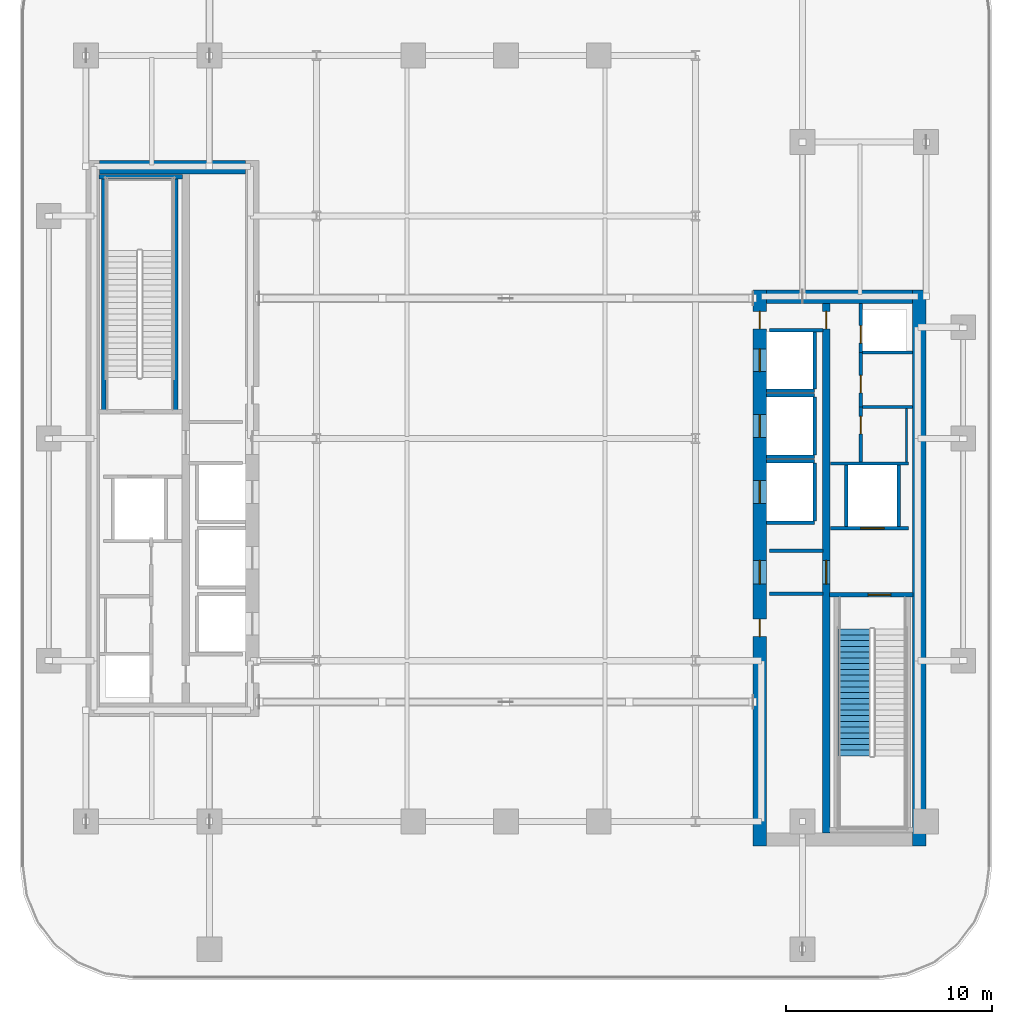
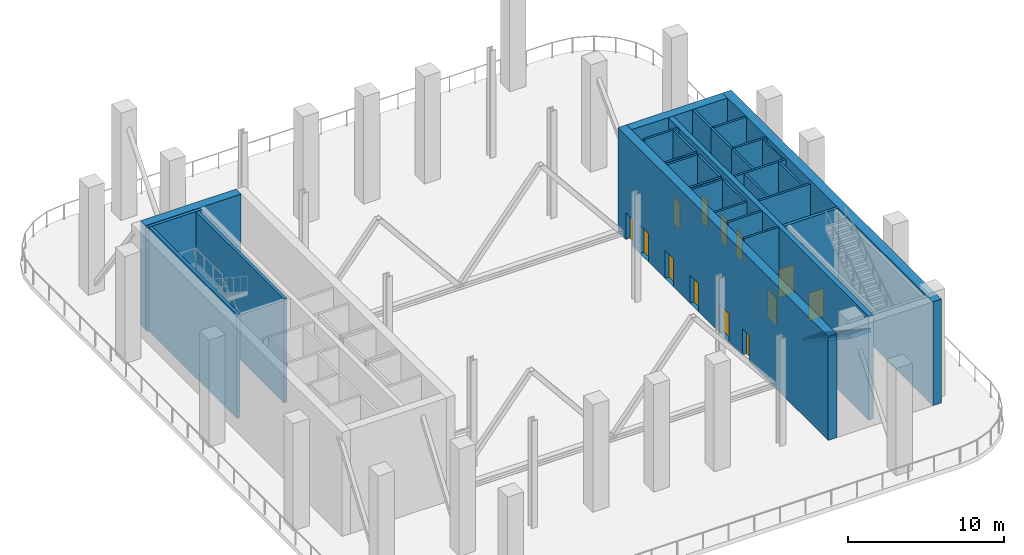
# One storey, part 6 of 13: 30 walls, 13 doors, 1 stair flight, 13 openings, 1 element without a shape of its own.
"""IFC4 building model written with IfcOpenShell, lengths in metres."""

from ifc_helpers import new_model, si_unit, direction, frame, frame_2d, origin, place, context, subcontext, project, spatial, polyline, rectangle, outline, extrude, material, layer, layer_set, type_object, element, fill, aggregate, save


model = new_model("IFC4")

# Units and contexts
model_context = context("Model", 3, precision=1e-05, world=origin(), true_north=direction((0.0, 1.0)))
body_context = subcontext(model_context, "Body", "Model", "MODEL_VIEW")
ifc_project = project(units=[si_unit("LENGTHUNIT", "METRE"), si_unit("AREAUNIT", "SQUARE_METRE"), si_unit("VOLUMEUNIT", "CUBIC_METRE"), si_unit("PLANEANGLEUNIT", "RADIAN"), si_unit("MASSUNIT", "GRAM", prefix="KILO")], contexts=[model_context])

# Site, building, storey
site_placement = place(None, origin())
site = spatial("IfcSite", under=ifc_project, at=site_placement, CompositionType="ELEMENT")
building_placement = place(site_placement, origin())
building = spatial("IfcBuilding", under=site, at=building_placement, Name="Khairoan Windgate Tower", CompositionType="ELEMENT")
storey_placement = place(building_placement, frame((0.0, 0.0, 152.0)))
storey = spatial("IfcBuildingStorey", under=building, at=storey_placement, Name="L35", CompositionType="ELEMENT", Elevation=152.0)

# Walls
ifc_material_1 = material(Name="Moisture-Resistant Gypsum Partition", Category="gypsum")
ifc_layer_1 = layer(ifc_material_1, 0.10009765625, Name="Moisture-Resistant Gypsum Partition")
ifc_layer_set_1 = layer_set([ifc_layer_1], Name="Moisture-Resistant Gypsum Partition")
wall_type_1 = type_object("IfcWallType", Name="Bathroom Wet-Area Partition Wall", PredefinedType="PARTITIONING", material=ifc_layer_set_1)
wall_1_placement = place(storey_placement, frame((19.449951171875, 1.449951171875, 0.0), z_axis=(0.0, 0.0, 1.0), x_axis=(0.0, -1.0, 0.0)))
element("IfcWall", 1, at=wall_1_placement, inside=storey, type_object=wall_type_1, Name="L35 Wet Room Side Wall 012", PredefinedType="PARTITIONING", context=body_context, shape_type="SweptSolid", body=[
    extrude(rectangle(XDim=2.58984375, YDim=0.10009765625, at=frame_2d((1.294921875, 0.0))), origin(), (0.0, 0.0, 1.0), 8.139892578125),
])
ifc_material_2 = material(Name="Concrete C40/50", Category="concrete")
ifc_layer_2 = layer(ifc_material_2, 0.159912109375, Name="Concrete C40/50")
ifc_layer_set_2 = layer_set([ifc_layer_2], Name="Concrete C40/50")
wall_type_2 = type_object("IfcWallType", Name="Core and Hoistway Enclosure Wall", PredefinedType="STANDARD", material=ifc_layer_set_2)
wall_2_placement = place(storey_placement, frame((12.64990234375, 2.31005859375, 0.0), z_axis=(0.0, 0.0, 1.0), x_axis=(1.0, 0.0, 0.0)))
element("IfcWall", 2, at=wall_2_placement, inside=storey, type_object=wall_type_2, Name="L35 Lift PL7 Hoistway Divider S", PredefinedType="STANDARD", context=body_context, shape_type="SweptSolid", body=[
    extrude(rectangle(XDim=2.340087890625, YDim=0.159912109375, at=frame_2d((1.169921875, 0.0))), origin(), (0.0, 0.0, 1.0), 8.139892578125),
])
wall_3_placement = place(storey_placement, frame((14.989990234375, 2.39990234375, 0.0), z_axis=(0.0, 0.0, 1.0), x_axis=(0.0, 1.0, 0.0)))
element("IfcWall", 3, at=wall_3_placement, inside=storey, type_object=wall_type_2, Name="L35 Lift PL7 Hoistway Back Wall", PredefinedType="STANDARD", context=body_context, shape_type="SweptSolid", body=[
    extrude(rectangle(XDim=2.800048828125, YDim=0.159912109375, at=frame_2d((1.39990234375, 0.0))), origin(), (0.0, 0.0, 1.0), 8.139892578125),
])
for number, where, z_axis, x_axis, name in (
    (4, (12.64990234375, -0.889892578125, 0.0), (0.0, 0.0, 1.0), (1.0, 0.0, 0.0), "L35 Lift PL8 Hoistway Divider S"),
    (5, (12.64990234375, 2.090087890625, 0.0), (0.0, 0.0, 1.0), (1.0, 0.0, 0.0), "L35 Lift PL8 Hoistway Divider N"),
):
    element("IfcWall", number, at=place(storey_placement, frame(where, z_axis=z_axis, x_axis=x_axis)), inside=storey, type_object=wall_type_2, Name=name, PredefinedType="STANDARD", context=body_context, shape_type="SweptSolid", body=[
        extrude(rectangle(XDim=2.340087890625, YDim=0.159912109375, at=frame_2d((1.169921875, 0.0))), origin(), (0.0, 0.0, 1.0), 8.139892578125),
    ])
wall_4_placement = place(storey_placement, frame((14.989990234375, -0.800048828125, 0.0), z_axis=(0.0, 0.0, 1.0), x_axis=(0.0, 1.0, 0.0)))
element("IfcWall", 6, at=wall_4_placement, inside=storey, type_object=wall_type_2, Name="L35 Lift PL8 Hoistway Back Wall", PredefinedType="STANDARD", context=body_context, shape_type="SweptSolid", body=[
    extrude(rectangle(XDim=2.800048828125, YDim=0.159912109375, at=frame_2d((1.39990234375, 0.0))), origin(), (0.0, 0.0, 1.0), 8.139892578125),
])
for number, where, z_axis, x_axis, name in (
    (7, (12.64990234375, -4.090087890625, 0.0), (0.0, 0.0, 1.0), (1.0, 0.0, 0.0), "L35 Lift PL9 Hoistway Divider S"),
    (8, (12.64990234375, -1.110107421875, 0.0), (0.0, 0.0, 1.0), (1.0, 0.0, 0.0), "L35 Lift PL9 Hoistway Divider N"),
):
    element("IfcWall", number, at=place(storey_placement, frame(where, z_axis=z_axis, x_axis=x_axis)), inside=storey, type_object=wall_type_2, Name=name, PredefinedType="STANDARD", context=body_context, shape_type="SweptSolid", body=[
        extrude(rectangle(XDim=2.340087890625, YDim=0.159912109375, at=frame_2d((1.169921875, 0.0))), origin(), (0.0, 0.0, 1.0), 8.139892578125),
    ])
wall_5_placement = place(storey_placement, frame((14.989990234375, -4.0, 0.0), z_axis=(0.0, 0.0, 1.0), x_axis=(0.0, 1.0, 0.0)))
element("IfcWall", 9, at=wall_5_placement, inside=storey, type_object=wall_type_2, Name="L35 Lift PL9 Hoistway Back Wall", PredefinedType="STANDARD", context=body_context, shape_type="SweptSolid", body=[
    extrude(rectangle(XDim=2.800048828125, YDim=0.159912109375, at=frame_2d((1.39990234375, 0.0))), origin(), (0.0, 0.0, 1.0), 8.139892578125),
])

# Wall, opening, door
wall_6_placement = place(storey_placement, frame((15.75, -4.360107421875, 0.0), z_axis=(0.0, 0.0, 1.0), x_axis=(1.0, 0.0, 0.0)))
wall_6 = element("IfcWall", 10, at=wall_6_placement, inside=storey, type_object=wall_type_2, Name="L35 Core Shaft Wall SW-FL1-L35", PredefinedType="STANDARD", context=body_context, shape_type="SweptSolid", body=[
    extrude(rectangle(XDim=3.800048828125, YDim=0.159912109375, at=frame_2d((1.89990234375, 0.0))), origin(), (0.0, 0.0, 1.0), 8.139892578125),
])
opening_1_placement = place(wall_6_placement, frame((1.469970703125, 0.0, 0.0)))
opening_1 = element("IfcOpeningElement", 11, at=opening_1_placement, cuts=wall_6, Name="Opening LD-FL", PredefinedType="OPENING", context=body_context, shape_type="SweptSolid", body=[
    extrude(rectangle(XDim=1.14990234375, YDim=2.199951171875, at=frame_2d((0.574951171875, 1.10009765625))), frame((0.0, 0.08984375, 0.0), z_axis=(0.0, -1.0, 0.0), x_axis=(1.0, 0.0, 0.0)), (0.0, 0.0, 1.0), 0.179931640625),
])
ifc_material_3 = material(Name="Steel S355", Category="steel")
door_type_1 = type_object("IfcDoorType", Name="Firefighting Lift Sliding Landing Door LD-FL 1150x2200", OperationType="DOUBLE_DOOR_SLIDING", PredefinedType="DOOR", material=ifc_material_3)
door_1_placement = place(opening_1_placement, origin())
door_1 = element("IfcDoor", 12, at=door_1_placement, inside=storey, type_object=door_type_1, Name="L35 Firefighting Lift FL1 Landing Door", OperationType="DOUBLE_DOOR_SLIDING", OverallHeight=2.199951171875, OverallWidth=1.14990234375, PredefinedType="DOOR", context=body_context, shape_type="SweptSolid", body=[
    extrude(rectangle(XDim=1.14990234375, YDim=2.199951171875, at=frame_2d((0.574951171875, 1.10009765625))), frame((0.0, 0.02490234375, 0.0), z_axis=(0.0, -1.0, 0.0), x_axis=(1.0, 0.0, 0.0)), (0.0, 0.0, 1.0), 0.050048828125),
])
fill(opening_1, door_1)

# Walls
wall_7_placement = place(storey_placement, frame((15.75, -1.219970703125, 0.0), z_axis=(0.0, 0.0, 1.0), x_axis=(1.0, 0.0, 0.0)))
element("IfcWall", 13, at=wall_7_placement, inside=storey, type_object=wall_type_2, Name="L35 Core Shaft Wall SW-FL1T-L35", PredefinedType="STANDARD", context=body_context, shape_type="SweptSolid", body=[
    extrude(rectangle(XDim=3.800048828125, YDim=0.159912109375, at=frame_2d((1.89990234375, 0.0))), origin(), (0.0, 0.0, 1.0), 8.139892578125),
])
for number, where, z_axis, x_axis, name in (
    (14, (16.52001953125, -4.280029296875, 0.0), (0.0, 0.0, 1.0), (0.0, 1.0, 0.0), "L35 Core Shaft Wall SW-FL1W-L35"),
    (15, (19.080078125, -4.280029296875, 0.0), (0.0, 0.0, 1.0), (0.0, 1.0, 0.0), "L35 Core Shaft Wall SW-FL1E-L35"),
):
    element("IfcWall", number, at=place(storey_placement, frame(where, z_axis=z_axis, x_axis=x_axis)), inside=storey, type_object=wall_type_2, Name=name, PredefinedType="STANDARD", context=body_context, shape_type="SweptSolid", body=[
        extrude(rectangle(XDim=2.97998046875, YDim=0.159912109375, at=frame_2d((1.489990234375, 0.0))), origin(), (0.0, 0.0, 1.0), 8.139892578125),
    ])
for number, where, z_axis, x_axis, name in (
    (16, (12.800048828125, -5.449951171875, 0.0), (0.0, 0.0, 1.0), (1.0, 0.0, 0.0), "L35 Core Shaft Wall SW-EV1-L35"),
    (17, (12.800048828125, -7.5400390625, 0.0), (0.0, 0.0, 1.0), (1.0, 0.0, 0.0), "L35 Core Shaft Wall SW-EV2-L35"),
    (18, (12.800048828125, 5.25, 0.0), (0.0, 0.0, 1.0), (1.0, 0.0, 0.0), "L35 Core Shaft Wall SW-ESV-L35"),
):
    element("IfcWall", number, at=place(storey_placement, frame(where, z_axis=z_axis, x_axis=x_axis)), inside=storey, type_object=wall_type_2, Name=name, PredefinedType="STANDARD", context=body_context, shape_type="SweptSolid", body=[
        extrude(rectangle(XDim=2.599853515625, YDim=0.159912109375, at=frame_2d((1.2998046875, 0.0))), origin(), (0.0, 0.0, 1.0), 8.139892578125),
    ])

# Wall, opening, door
ifc_material_4 = material(Name="Concrete C40/50", Category="concrete")
ifc_layer_3 = layer(ifc_material_4, 0.159912109375, Name="Concrete C40/50")
ifc_layer_set_3 = layer_set([ifc_layer_3], Name="Concrete C40/50")
wall_type_3 = type_object("IfcWallType", Name="Plant and Refuge Compartment Wall", PredefinedType="PARTITIONING", material=ifc_layer_set_3)
wall_8_placement = place(storey_placement, frame((17.22998046875, 4.169921875, 0.0), z_axis=(0.0, 0.0, 1.0), x_axis=(0.0, 1.0, 0.0)))
wall_8 = element("IfcWall", 19, at=wall_8_placement, inside=storey, type_object=wall_type_3, Name="L35 Interior Partition 006", PredefinedType="PARTITIONING", context=body_context, shape_type="SweptSolid", body=[
    extrude(rectangle(XDim=2.380126953125, YDim=0.159912109375, at=frame_2d((1.18994140625, 0.0))), origin(), (0.0, 0.0, 1.0), 8.139892578125),
])
opening_2_placement = place(wall_8_placement, frame((0.4599609375, 0.0, 0.0)))
opening_2 = element("IfcOpeningElement", 20, at=opening_2_placement, cuts=wall_8, Name="Opening FD-SRV", PredefinedType="OPENING", context=body_context, shape_type="SweptSolid", body=[
    extrude(rectangle(XDim=0.85009765625, YDim=2.10009765625, at=frame_2d((0.425048828125, 1.050048828125))), frame((0.0, 0.08984375, 0.0), z_axis=(0.0, -1.0, 0.0), x_axis=(1.0, 0.0, 0.0)), (0.0, 0.0, 1.0), 0.179931640625),
])
ifc_material_5 = material(Name="Steel S355", Category="steel")
door_type_2 = type_object("IfcDoorType", Name="Core Service and Riser Fire Door FD-SRV 850x2100", OperationType="NOTDEFINED", PredefinedType="DOOR", material=ifc_material_5)
door_2_placement = place(opening_2_placement, origin())
door_2 = element("IfcDoor", 21, at=door_2_placement, inside=storey, type_object=door_type_2, Name="L35 L35-17-L35-18 Door", OperationType="SINGLE_SWING_RIGHT", OverallHeight=2.10009765625, OverallWidth=0.85009765625, PredefinedType="DOOR", context=body_context, shape_type="SweptSolid", body=[
    extrude(rectangle(XDim=0.85009765625, YDim=2.10009765625, at=frame_2d((0.425048828125, 1.050048828125))), frame((0.0, 0.02490234375, 0.0), z_axis=(0.0, -1.0, 0.0), x_axis=(1.0, 0.0, 0.0)), (0.0, 0.0, 1.0), 0.050048828125),
])
fill(opening_2, door_2)

wall_9_placement = place(storey_placement, frame((17.22998046875, -1.139892578125, 0.0), z_axis=(0.0, 0.0, 1.0), x_axis=(0.0, 1.0, 0.0)))
wall_9 = element("IfcWall", 22, at=wall_9_placement, inside=storey, type_object=wall_type_3, Name="L35 Interior Partition 007", PredefinedType="PARTITIONING", context=body_context, shape_type="SweptSolid", body=[
    extrude(rectangle(XDim=2.669921875, YDim=0.159912109375, at=frame_2d((1.3349609375, 0.0))), origin(), (0.0, 0.0, 1.0), 8.139892578125),
])
opening_3_placement = place(wall_9_placement, frame((1.360107421875, 0.0, 0.0)))
opening_3 = element("IfcOpeningElement", 23, at=opening_3_placement, cuts=wall_9, Name="Opening FD-SRV", PredefinedType="OPENING", context=body_context, shape_type="SweptSolid", body=[
    extrude(rectangle(XDim=0.85009765625, YDim=2.10009765625, at=frame_2d((0.425048828125, 1.050048828125))), frame((0.0, 0.08984375, 0.0), z_axis=(0.0, -1.0, 0.0), x_axis=(1.0, 0.0, 0.0)), (0.0, 0.0, 1.0), 0.179931640625),
])
door_3_placement = place(opening_3_placement, origin())
door_3 = element("IfcDoor", 24, at=door_3_placement, inside=storey, type_object=door_type_2, Name="L35 L35-17-L35-19 Door", OperationType="SINGLE_SWING_LEFT", OverallHeight=2.10009765625, OverallWidth=0.85009765625, PredefinedType="DOOR", context=body_context, shape_type="SweptSolid", body=[
    extrude(rectangle(XDim=0.85009765625, YDim=2.10009765625, at=frame_2d((0.425048828125, 1.050048828125))), frame((0.0, 0.02490234375, 0.0), z_axis=(0.0, -1.0, 0.0), x_axis=(1.0, 0.0, 0.0)), (0.0, 0.0, 1.0), 0.050048828125),
])
fill(opening_3, door_3)

wall_10_placement = place(storey_placement, frame((17.22998046875, 1.530029296875, 0.0), z_axis=(0.0, 0.0, 1.0), x_axis=(0.0, 1.0, 0.0)))
wall_10 = element("IfcWall", 25, at=wall_10_placement, inside=storey, type_object=wall_type_3, Name="L35 Interior Partition 008", PredefinedType="PARTITIONING", context=body_context, shape_type="SweptSolid", body=[
    extrude(rectangle(XDim=2.639892578125, YDim=0.159912109375, at=frame_2d((1.31982421875, 0.0))), origin(), (0.0, 0.0, 1.0), 8.139892578125),
])
opening_4_placement = place(wall_10_placement, frame((0.677490234375, 0.0, 0.0)))
opening_4 = element("IfcOpeningElement", 26, at=opening_4_placement, cuts=wall_10, Name="Opening FD-SRV", PredefinedType="OPENING", context=body_context, shape_type="SweptSolid", body=[
    extrude(rectangle(XDim=0.85009765625, YDim=2.10009765625, at=frame_2d((0.425048828125, 1.050048828125))), frame((0.0, 0.08984375, 0.0), z_axis=(0.0, -1.0, 0.0), x_axis=(1.0, 0.0, 0.0)), (0.0, 0.0, 1.0), 0.179931640625),
])
door_4_placement = place(opening_4_placement, origin())
door_4 = element("IfcDoor", 27, at=door_4_placement, inside=storey, type_object=door_type_2, Name="L35 L35-17-L35-20 Door", OperationType="SINGLE_SWING_RIGHT", OverallHeight=2.10009765625, OverallWidth=0.85009765625, PredefinedType="DOOR", context=body_context, shape_type="SweptSolid", body=[
    extrude(rectangle(XDim=0.85009765625, YDim=2.10009765625, at=frame_2d((0.425048828125, 1.050048828125))), frame((0.0, 0.02490234375, 0.0), z_axis=(0.0, -1.0, 0.0), x_axis=(1.0, 0.0, 0.0)), (0.0, 0.0, 1.0), 0.050048828125),
])
fill(opening_4, door_4)

# Walls
for number, where, z_axis, x_axis, name in (
    (28, (17.31005859375, 4.169921875, 0.0), (0.0, 0.0, 1.0), (1.0, 0.0, 0.0), "L35 Interior Partition 009"),
    (29, (17.31005859375, 1.530029296875, 0.0), (0.0, 0.0, 1.0), (1.0, 0.0, 0.0), "L35 Interior Partition 010"),
):
    element("IfcWall", number, at=place(storey_placement, frame(where, z_axis=z_axis, x_axis=x_axis)), inside=storey, type_object=wall_type_3, Name=name, PredefinedType="PARTITIONING", context=body_context, shape_type="SweptSolid", body=[
        extrude(rectangle(XDim=2.43994140625, YDim=0.159912109375, at=frame_2d((1.219970703125, 0.0))), origin(), (0.0, 0.0, 1.0), 8.139892578125),
    ])

# Wall, openings, doors
ifc_material_6 = material(Name="Concrete C60/75", Category="concrete")
ifc_layer_4 = layer(ifc_material_6, 0.64990234375, Name="Concrete C60/75")
ifc_layer_set_4 = layer_set([ifc_layer_4], Name="Concrete C60/75")
wall_type_4 = type_object("IfcWallType", Name="Shear Wall CW-E2 650mm", PredefinedType="SHEAR", material=ifc_layer_set_4)
wall_11_placement = place(storey_placement, frame((12.324951171875, -19.800048828125, 0.0), z_axis=(0.0, 0.0, 1.0), x_axis=(0.0, 1.0, 0.0)))
wall_11 = element("IfcWall", 30, at=wall_11_placement, inside=storey, type_object=wall_type_4, Name="E Core West Shear Wall L35", PredefinedType="SHEAR", context=body_context, shape_type="SweptSolid", body=[
    extrude(rectangle(XDim=27.0, YDim=0.64990234375, at=frame_2d((13.5, 0.0))), origin(), (0.0, 0.0, 1.0), 8.139892578125),
])
opening_5_placement = place(wall_11_placement, frame((23.050048828125, 0.0, 0.0)))
opening_5 = element("IfcOpeningElement", 31, at=opening_5_placement, cuts=wall_11, Name="Opening LD-PL", PredefinedType="OPENING", context=body_context, shape_type="SweptSolid", body=[
    extrude(rectangle(XDim=1.10009765625, YDim=2.199951171875, at=frame_2d((0.550048828125, 1.10009765625))), frame((0.0, 0.3349609375, 0.0), z_axis=(0.0, -1.0, 0.0), x_axis=(1.0, 0.0, 0.0)), (0.0, 0.0, 1.0), 0.669921875),
])
opening_6_placement = place(wall_11_placement, frame((19.85009765625, 0.0, 0.0)))
opening_6 = element("IfcOpeningElement", 32, at=opening_6_placement, cuts=wall_11, Name="Opening LD-PL", PredefinedType="OPENING", context=body_context, shape_type="SweptSolid", body=[
    extrude(rectangle(XDim=1.10009765625, YDim=2.199951171875, at=frame_2d((0.550048828125, 1.10009765625))), frame((0.0, 0.3349609375, 0.0), z_axis=(0.0, -1.0, 0.0), x_axis=(1.0, 0.0, 0.0)), (0.0, 0.0, 1.0), 0.669921875),
])
opening_7_placement = place(wall_11_placement, frame((16.64990234375, 0.0, 0.0)))
opening_7 = element("IfcOpeningElement", 33, at=opening_7_placement, cuts=wall_11, Name="Opening LD-PL", PredefinedType="OPENING", context=body_context, shape_type="SweptSolid", body=[
    extrude(rectangle(XDim=1.10009765625, YDim=2.199951171875, at=frame_2d((0.550048828125, 1.10009765625))), frame((0.0, 0.3349609375, 0.0), z_axis=(0.0, -1.0, 0.0), x_axis=(1.0, 0.0, 0.0)), (0.0, 0.0, 1.0), 0.669921875),
])
opening_8_placement = place(wall_11_placement, frame((10.175048828125, 0.0, 0.0)))
opening_8 = element("IfcOpeningElement", 34, at=opening_8_placement, cuts=wall_11, Name="Opening FD-SRV", PredefinedType="OPENING", context=body_context, shape_type="SweptSolid", body=[
    extrude(rectangle(XDim=0.85009765625, YDim=2.10009765625, at=frame_2d((0.425048828125, 1.050048828125))), frame((0.0, 0.3349609375, 0.0), z_axis=(0.0, -1.0, 0.0), x_axis=(1.0, 0.0, 0.0)), (0.0, 0.0, 1.0), 0.669921875),
])
opening_9_placement = place(wall_11_placement, frame((12.72509765625, 0.0, 0.0)))
opening_9 = element("IfcOpeningElement", 35, at=opening_9_placement, cuts=wall_11, Name="Opening FD-FFL", PredefinedType="OPENING", context=body_context, shape_type="SweptSolid", body=[
    extrude(rectangle(XDim=1.14990234375, YDim=2.199951171875, at=frame_2d((0.574951171875, 1.10009765625))), frame((0.0, 0.3349609375, 0.0), z_axis=(0.0, -1.0, 0.0), x_axis=(1.0, 0.0, 0.0)), (0.0, 0.0, 1.0), 0.669921875),
])
opening_10_placement = place(wall_11_placement, frame((25.125, 0.0, 0.0)))
opening_10 = element("IfcOpeningElement", 36, at=opening_10_placement, cuts=wall_11, Name="Opening FD-SRV", PredefinedType="OPENING", context=body_context, shape_type="SweptSolid", body=[
    extrude(rectangle(XDim=0.85009765625, YDim=2.10009765625, at=frame_2d((0.425048828125, 1.050048828125))), frame((0.0, 0.3349609375, 0.0), z_axis=(0.0, -1.0, 0.0), x_axis=(1.0, 0.0, 0.0)), (0.0, 0.0, 1.0), 0.669921875),
])
door_5_placement = place(opening_8_placement, origin())
door_5 = element("IfcDoor", 37, at=door_5_placement, inside=storey, type_object=door_type_2, Name="L35 East Core Service Room Door 1", OperationType="SINGLE_SWING_RIGHT", OverallHeight=2.10009765625, OverallWidth=0.85009765625, PredefinedType="DOOR", context=body_context, shape_type="SweptSolid", body=[
    extrude(rectangle(XDim=0.85009765625, YDim=2.10009765625, at=frame_2d((0.425048828125, 1.050048828125))), frame((0.0, 0.02490234375, 0.0), z_axis=(0.0, -1.0, 0.0), x_axis=(1.0, 0.0, 0.0)), (0.0, 0.0, 1.0), 0.050048828125),
])
fill(opening_8, door_5)
door_6_placement = place(opening_10_placement, origin())
door_6 = element("IfcDoor", 38, at=door_6_placement, inside=storey, type_object=door_type_2, Name="L35 East Core Service Vestibule Outer Door", OperationType="SINGLE_SWING_LEFT", OverallHeight=2.10009765625, OverallWidth=0.85009765625, PredefinedType="DOOR", context=body_context, shape_type="SweptSolid", body=[
    extrude(rectangle(XDim=0.85009765625, YDim=2.10009765625, at=frame_2d((0.425048828125, 1.050048828125))), frame((0.0, 0.02490234375, 0.0), z_axis=(0.0, -1.0, 0.0), x_axis=(1.0, 0.0, 0.0)), (0.0, 0.0, 1.0), 0.050048828125),
])
fill(opening_10, door_6)
ifc_material_7 = material(Name="Steel S355", Category="steel")
door_type_3 = type_object("IfcDoorType", Name="Firefighting Lobby Fire Door FD-FFL 1150x2200", OperationType="NOTDEFINED", PredefinedType="DOOR", material=ifc_material_7)
door_7_placement = place(opening_9_placement, origin())
door_7 = element("IfcDoor", 39, at=door_7_placement, inside=storey, type_object=door_type_3, Name="L35 East Core Vestibule Entry Door", OperationType="SINGLE_SWING_LEFT", OverallHeight=2.199951171875, OverallWidth=1.14990234375, PredefinedType="DOOR", context=body_context, shape_type="SweptSolid", body=[
    extrude(rectangle(XDim=1.14990234375, YDim=2.199951171875, at=frame_2d((0.574951171875, 1.10009765625))), frame((0.0, 0.02490234375, 0.0), z_axis=(0.0, -1.0, 0.0), x_axis=(1.0, 0.0, 0.0)), (0.0, 0.0, 1.0), 0.050048828125),
])
fill(opening_9, door_7)
ifc_material_8 = material(Name="Anodised Bronze Aluminium 6063-T6", Category="aluminium")
door_type_4 = type_object("IfcDoorType", Name="Passenger Lift Sliding Landing Door LD-PL 1100x2200", OperationType="DOUBLE_DOOR_SLIDING", PredefinedType="DOOR", material=ifc_material_8)
door_8_placement = place(opening_5_placement, origin())
door_8 = element("IfcDoor", 40, at=door_8_placement, inside=storey, type_object=door_type_4, Name="L35 Lift PL7 Sliding Landing Door", OperationType="DOUBLE_DOOR_SLIDING", OverallHeight=2.199951171875, OverallWidth=1.10009765625, PredefinedType="DOOR", context=body_context, shape_type="SweptSolid", body=[
    extrude(rectangle(XDim=1.10009765625, YDim=2.199951171875, at=frame_2d((0.550048828125, 1.10009765625))), frame((0.0, 0.02490234375, 0.0), z_axis=(0.0, -1.0, 0.0), x_axis=(1.0, 0.0, 0.0)), (0.0, 0.0, 1.0), 0.050048828125),
])
fill(opening_5, door_8)
door_9_placement = place(opening_6_placement, origin())
door_9 = element("IfcDoor", 41, at=door_9_placement, inside=storey, type_object=door_type_4, Name="L35 Lift PL8 Sliding Landing Door", OperationType="DOUBLE_DOOR_SLIDING", OverallHeight=2.199951171875, OverallWidth=1.10009765625, PredefinedType="DOOR", context=body_context, shape_type="SweptSolid", body=[
    extrude(rectangle(XDim=1.10009765625, YDim=2.199951171875, at=frame_2d((0.550048828125, 1.10009765625))), frame((0.0, 0.02490234375, 0.0), z_axis=(0.0, -1.0, 0.0), x_axis=(1.0, 0.0, 0.0)), (0.0, 0.0, 1.0), 0.050048828125),
])
fill(opening_6, door_9)
door_10_placement = place(opening_7_placement, origin())
door_10 = element("IfcDoor", 42, at=door_10_placement, inside=storey, type_object=door_type_4, Name="L35 Lift PL9 Sliding Landing Door", OperationType="DOUBLE_DOOR_SLIDING", OverallHeight=2.199951171875, OverallWidth=1.10009765625, PredefinedType="DOOR", context=body_context, shape_type="SweptSolid", body=[
    extrude(rectangle(XDim=1.10009765625, YDim=2.199951171875, at=frame_2d((0.550048828125, 1.10009765625))), frame((0.0, 0.02490234375, 0.0), z_axis=(0.0, -1.0, 0.0), x_axis=(1.0, 0.0, 0.0)), (0.0, 0.0, 1.0), 0.050048828125),
])
fill(opening_7, door_10)

# Walls
wall_12_placement = place(storey_placement, frame((20.074951171875, -19.800048828125, 0.0), z_axis=(0.0, 0.0, 1.0), x_axis=(0.0, 1.0, 0.0)))
element("IfcWall", 43, at=wall_12_placement, inside=storey, type_object=wall_type_4, Name="E Core East Shear Wall L35", PredefinedType="SHEAR", context=body_context, shape_type="SweptSolid", body=[
    extrude(rectangle(XDim=27.0, YDim=0.64990234375, at=frame_2d((13.5, 0.0))), origin(), (0.0, 0.0, 1.0), 8.139892578125),
])
wall_13_placement = place(storey_placement, frame((12.64990234375, 6.875, 0.0), z_axis=(0.0, 0.0, 1.0), x_axis=(1.0, 0.0, 0.0)))
element("IfcWall", 44, at=wall_13_placement, inside=storey, type_object=wall_type_4, Name="E Core North Shear Wall L35", PredefinedType="SHEAR", context=body_context, shape_type="SweptSolid", body=[
    extrude(rectangle(XDim=7.10009765625, YDim=0.64990234375, at=frame_2d((3.550048828125, 0.0))), origin(), (0.0, 0.0, 1.0), 8.139892578125),
])
ifc_material_9 = material(Name="Concrete C60/75", Category="concrete")
ifc_layer_5 = layer(ifc_material_9, 0.64990234375, Name="Concrete C60/75")
ifc_layer_set_5 = layer_set([ifc_layer_5], Name="Concrete C60/75")
wall_type_5 = type_object("IfcWallType", Name="Shear Wall CW-W2 650mm", PredefinedType="SHEAR", material=ifc_layer_set_5)
wall_14_placement = place(storey_placement, frame((-19.75, 13.175048828125, 0.0), z_axis=(0.0, 0.0, 1.0), x_axis=(1.0, 0.0, 0.0)))
element("IfcWall", 45, at=wall_14_placement, inside=storey, type_object=wall_type_5, Name="W Core North Shear Wall L35", PredefinedType="SHEAR", context=body_context, shape_type="SweptSolid", body=[
    extrude(rectangle(XDim=7.10009765625, YDim=0.64990234375, at=frame_2d((3.550048828125, 0.0))), origin(), (0.0, 0.0, 1.0), 8.139892578125),
])

# Wall, openings, doors
ifc_material_10 = material(Name="Concrete C60/75", Category="concrete")
ifc_layer_6 = layer(ifc_material_10, 0.35009765625, Name="Concrete C60/75")
ifc_layer_set_6 = layer_set([ifc_layer_6], Name="Concrete C60/75")
wall_type_6 = type_object("IfcWallType", Name="Shear Wall SW-1 350mm", PredefinedType="SHEAR", material=ifc_layer_set_6)
wall_15_placement = place(storey_placement, frame((15.550048828125, -19.14990234375, 0.0), z_axis=(0.0, 0.0, 1.0), x_axis=(0.0, 1.0, 0.0)))
wall_15 = element("IfcWall", 46, at=wall_15_placement, inside=storey, type_object=wall_type_6, Name="E Core Spine Shear Wall L35", PredefinedType="SHEAR", context=body_context, shape_type="SweptSolid", body=[
    extrude(rectangle(XDim=25.699951171875, YDim=0.35009765625, at=frame_2d((12.85009765625, 0.0))), origin(), (0.0, 0.0, 1.0), 8.139892578125),
])
opening_11_placement = place(wall_15_placement, frame((12.074951171875, 0.0, 0.0)))
opening_11 = element("IfcOpeningElement", 47, at=opening_11_placement, cuts=wall_15, Name="Opening FD-FFL", PredefinedType="OPENING", context=body_context, shape_type="SweptSolid", body=[
    extrude(rectangle(XDim=1.14990234375, YDim=2.199951171875, at=frame_2d((0.574951171875, 1.10009765625))), frame((0.0, 0.18505859375, 0.0), z_axis=(0.0, -1.0, 0.0), x_axis=(1.0, 0.0, 0.0)), (0.0, 0.0, 1.0), 0.3701171875),
])
opening_12_placement = place(wall_15_placement, frame((24.47509765625, 0.0, 0.0)))
opening_12 = element("IfcOpeningElement", 48, at=opening_12_placement, cuts=wall_15, Name="Opening FD-SRV", PredefinedType="OPENING", context=body_context, shape_type="SweptSolid", body=[
    extrude(rectangle(XDim=0.85009765625, YDim=2.10009765625, at=frame_2d((0.425048828125, 1.050048828125))), frame((0.0, 0.18505859375, 0.0), z_axis=(0.0, -1.0, 0.0), x_axis=(1.0, 0.0, 0.0)), (0.0, 0.0, 1.0), 0.3701171875),
])
door_11_placement = place(opening_12_placement, origin())
door_11 = element("IfcDoor", 49, at=door_11_placement, inside=storey, type_object=door_type_2, Name="L35 East Core Service Passage Inner Door", OperationType="SINGLE_SWING_RIGHT", OverallHeight=2.10009765625, OverallWidth=0.85009765625, PredefinedType="DOOR", context=body_context, shape_type="SweptSolid", body=[
    extrude(rectangle(XDim=0.85009765625, YDim=2.10009765625, at=frame_2d((0.425048828125, 1.050048828125))), frame((0.0, 0.02490234375, 0.0), z_axis=(0.0, -1.0, 0.0), x_axis=(1.0, 0.0, 0.0)), (0.0, 0.0, 1.0), 0.050048828125),
])
fill(opening_12, door_11)
door_12_placement = place(opening_11_placement, origin())
door_12 = element("IfcDoor", 50, at=door_12_placement, inside=storey, type_object=door_type_3, Name="L35 East Firefighting Lobby Fire Door", OperationType="SINGLE_SWING_RIGHT", OverallHeight=2.199951171875, OverallWidth=1.14990234375, PredefinedType="DOOR", context=body_context, shape_type="SweptSolid", body=[
    extrude(rectangle(XDim=1.14990234375, YDim=2.199951171875, at=frame_2d((0.574951171875, 1.10009765625))), frame((0.0, 0.02490234375, 0.0), z_axis=(0.0, -1.0, 0.0), x_axis=(1.0, 0.0, 0.0)), (0.0, 0.0, 1.0), 0.050048828125),
])
fill(opening_11, door_12)

# Wall, opening, door
ifc_material_11 = material(Name="Concrete C50/60", Category="concrete")
ifc_layer_7 = layer(ifc_material_11, 0.219970703125, Name="Concrete C50/60")
ifc_layer_set_7 = layer_set([ifc_layer_7], Name="Concrete C50/60")
wall_type_7 = type_object("IfcWallType", Name="Shear Wall SW-ST 220mm", PredefinedType="SHEAR", material=ifc_layer_set_7)
wall_16_placement = place(storey_placement, frame((19.77001953125, -7.590087890625, 0.0), z_axis=(0.0, 0.0, 1.0), x_axis=(-1.0, 0.0, 0.0)))
wall_16 = element("IfcWall", 51, at=wall_16_placement, inside=storey, type_object=wall_type_7, Name="L35 Stair ST1 North Bearing Wall", PredefinedType="SHEAR", context=body_context, shape_type="SweptSolid", body=[
    extrude(rectangle(XDim=4.06494140625, YDim=0.219970703125, at=frame_2d((2.032470703125, 0.0))), origin(), (0.0, 0.0, 1.0), 8.139892578125),
])
opening_13_placement = place(wall_16_placement, frame((1.080078125, 0.0, 0.0)))
opening_13 = element("IfcOpeningElement", 52, at=opening_13_placement, cuts=wall_16, Name="Opening FD-ST", PredefinedType="OPENING", context=body_context, shape_type="SweptSolid", body=[
    extrude(rectangle(XDim=1.10009765625, YDim=2.199951171875, at=frame_2d((0.550048828125, 1.10009765625))), frame((0.0, 0.119873046875, 0.0), z_axis=(0.0, -1.0, 0.0), x_axis=(1.0, 0.0, 0.0)), (0.0, 0.0, 1.0), 0.239990234375),
])
ifc_material_12 = material(Name="Steel S355", Category="steel")
door_type_5 = type_object("IfcDoorType", Name="Smokeproof Stair Fire Door FD-ST 1100x2200", OperationType="NOTDEFINED", PredefinedType="DOOR", material=ifc_material_12)
door_13_placement = place(opening_13_placement, origin())
door_13 = element("IfcDoor", 53, at=door_13_placement, inside=storey, type_object=door_type_5, Name="L35 Stair ST1 Fire Door", OperationType="SINGLE_SWING_LEFT", OverallHeight=2.199951171875, OverallWidth=1.10009765625, PredefinedType="DOOR", context=body_context, shape_type="SweptSolid", body=[
    extrude(rectangle(XDim=1.10009765625, YDim=2.199951171875, at=frame_2d((0.550048828125, 1.10009765625))), frame((0.0, 0.02490234375, 0.0), z_axis=(0.0, -1.0, 0.0), x_axis=(1.0, 0.0, 0.0)), (0.0, 0.0, 1.0), 0.050048828125),
])
fill(opening_13, door_13)

# Walls
for number, where, z_axis, x_axis, name in (
    (54, (-16.0400390625, 1.2900390625, 0.0), (0.0, 0.0, 1.0), (0.0, 1.0, 0.0), "L35 Stair ST2 East Bearing Wall"),
    (55, (-19.530029296875, 1.2900390625, 0.0), (0.0, 0.0, 1.0), (0.0, 1.0, 0.0), "L35 Stair ST2 West Bearing Wall"),
):
    element("IfcWall", number, at=place(storey_placement, frame(where, z_axis=z_axis, x_axis=x_axis)), inside=storey, type_object=wall_type_7, Name=name, PredefinedType="SHEAR", context=body_context, shape_type="SweptSolid", body=[
        extrude(rectangle(XDim=11.419921875, YDim=0.219970703125, at=frame_2d((5.7099609375, 0.0))), origin(), (0.0, 0.0, 1.0), 8.139892578125),
    ])
wall_17_placement = place(storey_placement, frame((-19.77001953125, 12.7099609375, 0.0), z_axis=(0.0, 0.0, 1.0), x_axis=(1.0, 0.0, 0.0)))
element("IfcWall", 56, at=wall_17_placement, inside=storey, type_object=wall_type_7, Name="L35 Stair ST2 North Bearing Wall", PredefinedType="SHEAR", context=body_context, shape_type="SweptSolid", body=[
    extrude(rectangle(XDim=4.06494140625, YDim=0.219970703125, at=frame_2d((2.032470703125, 0.0))), origin(), (0.0, 0.0, 1.0), 8.139892578125),
])

# Stair, stair flight
ifc_material_13 = material(Name="Concrete C40/50", Category="concrete")
stair_type = type_object("IfcStairType", Name="Tower Core Dog-Leg Stair ST-T1 1560mm", PredefinedType="HALF_TURN_STAIR", material=ifc_material_13)
stair_placement = place(storey_placement, origin())
stair = element("IfcStair", 57, at=stair_placement, inside=storey, type_object=stair_type, Name="L35 Stair ST1", PredefinedType="HALF_TURN_STAIR")
ifc_material_14 = material(Name="Concrete C40/50", Category="concrete")
ifc_layer_8 = layer(ifc_material_14, 0.14990234375, Name="Concrete C40/50")
ifc_layer_set_8 = layer_set([ifc_layer_8], Name="Concrete C40/50")
stair_flight_type = type_object("IfcStairFlightType", Name="Tower Core Stair Flight STF-1560", PredefinedType="STRAIGHT", material=ifc_layer_set_8)
stair_flight_placement = place(storey_placement, frame((16.929931640625, -9.260009765625, 0.0), z_axis=(0.0, 0.0, 1.0), x_axis=(0.0, -1.0, 0.0)))
stair_flight = element("IfcStairFlight", 58, at=stair_flight_placement, type_object=stair_flight_type, Name="ST1 flight 1", NumberOfRisers=23, NumberOfTreads=22, PredefinedType="STRAIGHT", RiserHeight=0.182608696, TreadLength=0.28, context=body_context, shape_type="SweptSolid", body=[
    extrude(outline(polyline([(-0.00390625, 0.0), (-0.00390625, 0.1826171875), (0.0, 0.1826171875), (0.280029296875, 0.1826171875), (0.280029296875, 0.365234375), (0.56005859375, 0.365234375), (0.56005859375, 0.5478515625), (0.840087890625, 0.5478515625), (0.840087890625, 0.73046875), (1.1201171875, 0.73046875), (1.1201171875, 0.9130859375), (1.39990234375, 0.9130859375), (1.39990234375, 1.095703125), (1.679931640625, 1.095703125), (1.679931640625, 1.2783203125), (1.9599609375, 1.2783203125), (1.9599609375, 1.4609375), (2.239990234375, 1.4609375), (2.239990234375, 1.6435546875), (2.52001953125, 1.6435546875), (2.52001953125, 1.826171875), (2.800048828125, 1.826171875), (2.800048828125, 2.0087890625), (3.080078125, 2.0087890625), (3.080078125, 2.19140625), (3.360107421875, 2.19140625), (3.360107421875, 2.3740234375), (3.639892578125, 2.3740234375), (3.639892578125, 2.556640625), (3.919921875, 2.556640625), (3.919921875, 2.739013671875), (4.199951171875, 2.739013671875), (4.199951171875, 2.921630859375), (4.47998046875, 2.921630859375), (4.47998046875, 3.104248046875), (4.760009765625, 3.104248046875), (4.760009765625, 3.286865234375), (5.0400390625, 3.286865234375), (5.0400390625, 3.469482421875), (5.320068359375, 3.469482421875), (5.320068359375, 3.652099609375), (5.60009765625, 3.652099609375), (5.60009765625, 3.834716796875), (5.8798828125, 3.834716796875), (5.8798828125, 4.017333984375), (6.159912109375, 4.017333984375), (6.159912109375, 4.199951171875), (6.1640625, 4.199951171875), (6.1640625, 3.83837890625), (0.2744140625, 0.0), (-0.00390625, 0.0)])), frame((0.0, 0.780029296875, 0.0), z_axis=(0.0, -1.0, 0.0), x_axis=(1.0, 0.0, 0.0)), (0.0, 0.0, 1.0), 1.56005859375),
])
aggregate(stair, [stair_flight])

save(model, "model.ifc")
